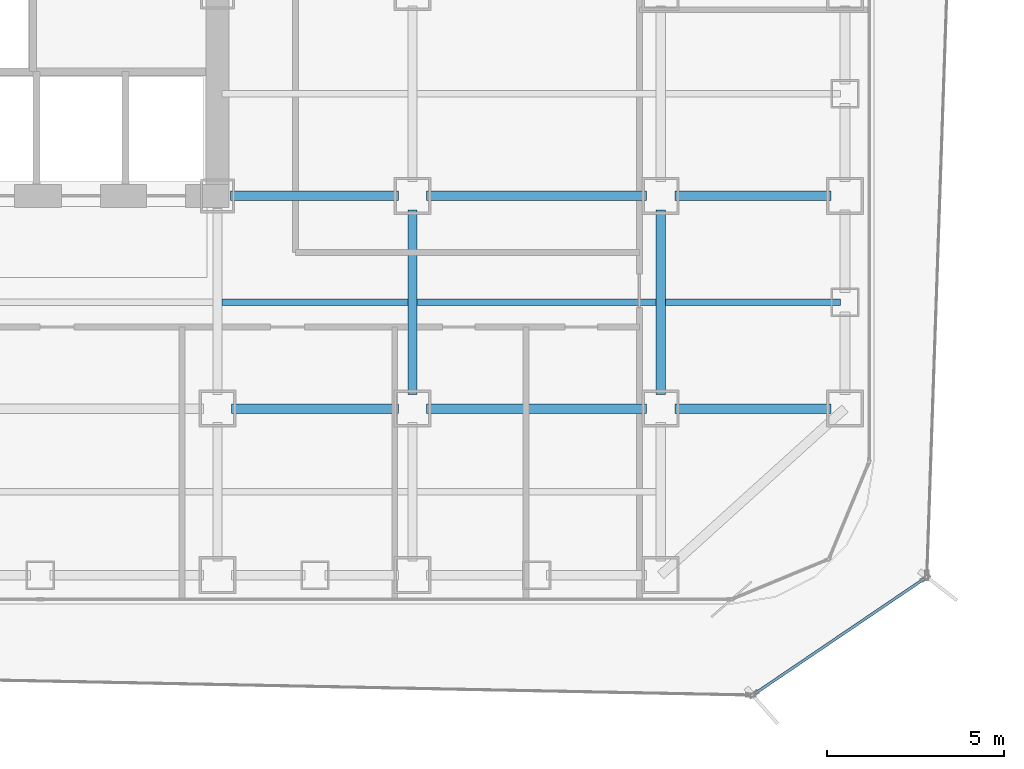
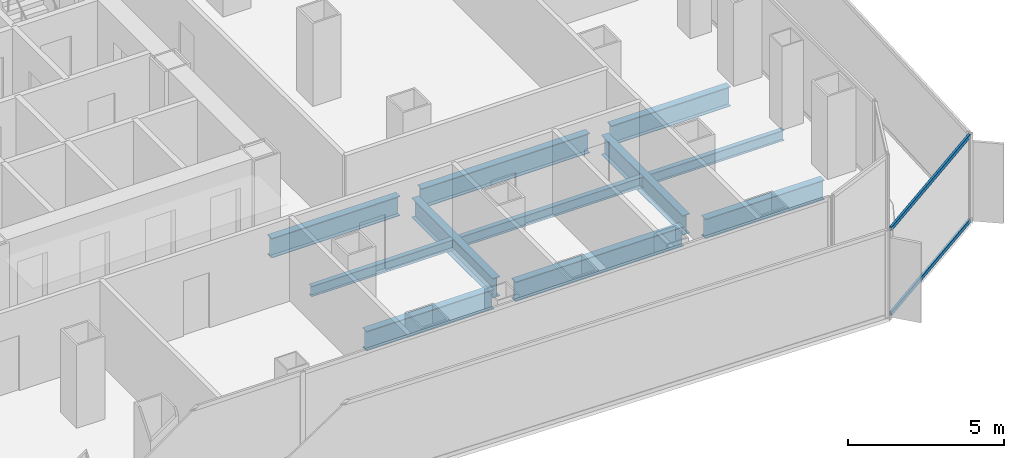
# One storey, part 7 of 22: 11 beams, 2 members, 1 element without a shape of its own.
"""IFC4 building model written with IfcOpenShell, lengths in metres."""

from ifc_helpers import new_model, si_unit, direction, frame, origin, origin_2d, place, context, subcontext, project, spatial, hollow_rectangle, i_section, extrude, source, transform, mapped, material, layer, layer_set, material_profile, profile_set, type_object, element, aggregate, save


model = new_model("IFC4")

# Units and contexts
model_context = context("Model", 3, precision=1e-05, world=origin(), true_north=direction((0.0, 1.0)))
body_context = subcontext(model_context, "Body", "Model", "MODEL_VIEW")
ifc_project = project(units=[si_unit("LENGTHUNIT", "METRE"), si_unit("AREAUNIT", "SQUARE_METRE"), si_unit("VOLUMEUNIT", "CUBIC_METRE"), si_unit("PLANEANGLEUNIT", "RADIAN"), si_unit("MASSUNIT", "GRAM", prefix="KILO")], contexts=[model_context])

# Site, building, storey
site_placement = place(None, origin())
site = spatial("IfcSite", under=ifc_project, at=site_placement, CompositionType="ELEMENT")
building_placement = place(site_placement, origin())
building = spatial("IfcBuilding", under=site, at=building_placement, Name="Kolveth Station Tower", CompositionType="ELEMENT")
storey_placement = place(building_placement, frame((0.0, 0.0, 84.60009765625)))
storey = spatial("IfcBuildingStorey", under=building, at=storey_placement, Name="L22", CompositionType="ELEMENT", Elevation=84.60009765625)

# Beams
ifc_material_1 = material(Name="Steel S355", Category="steel")
ifc_material_profile_1 = material_profile(ifc_material_1, i_section(OverallWidth=0.26708984375, OverallDepth=0.76611328125, WebThickness=0.014892578125, FlangeThickness=0.023681640625, at=origin_2d()), Name="W760x185")
ifc_profile_set_1 = profile_set([ifc_material_profile_1], Name="Steel S355")
beam_type_1 = type_object("IfcBeamType", Name="Beam_B3", PredefinedType="BEAM", material=ifc_profile_set_1)
shared_shape_1 = source(origin(), body_context, "Body", "SweptSolid", [
    extrude(i_section(OverallWidth=0.26708984375, OverallDepth=0.76611328125, WebThickness=0.014892578125, FlangeThickness=0.023681640625, at=origin_2d()), origin(), (0.0, 0.0, 1.0), 4.400146484375),
])
for number, where, z_axis, x_axis, name in (
    (1, (41.39990234375, 5.5, -0.6630859375), (1.0, 0.0, 0.0), (0.0, 1.0, 0.0), "L22 Primary Girder BM-L22-GY55-7"),
    (2, (41.39990234375, 11.5, -0.6630859375), (1.0, 0.0, 0.0), (0.0, 1.0, 0.0), "L22 Primary Girder BM-L22-GY115-7"),
):
    element("IfcBeam", number, at=place(storey_placement, frame(where, z_axis=z_axis, x_axis=x_axis)), inside=storey, type_object=beam_type_1, Name=name, PredefinedType="BEAM", context=body_context, shape_type="MappedRepresentation", body=[
        mapped(shared_shape_1, transform((0.0, 0.0, 0.0), x_axis=(1.0, 0.0, 0.0), y_axis=(0.0, 1.0, 0.0), z_axis=(0.0, 0.0, 1.0), scale=1.0)),
    ])
shared_shape_2 = source(origin(), body_context, "Body", "SweptSolid", [
    extrude(i_section(OverallWidth=0.26708984375, OverallDepth=0.76611328125, WebThickness=0.014892578125, FlangeThickness=0.023681640625, at=origin_2d()), origin(), (0.0, 0.0, 1.0), 6.2001953125),
])
for number, where, z_axis, x_axis, name in (
    (3, (34.39990234375, 5.5, -0.6630859375), (1.0, 0.0, 0.0), (0.0, 1.0, 0.0), "L22 Primary Girder BM-L22-GY55-6"),
    (4, (34.39990234375, 11.5, -0.6630859375), (1.0, 0.0, 0.0), (0.0, 1.0, 0.0), "L22 Primary Girder BM-L22-GY115-6"),
):
    element("IfcBeam", number, at=place(storey_placement, frame(where, z_axis=z_axis, x_axis=x_axis)), inside=storey, type_object=beam_type_1, Name=name, PredefinedType="BEAM", context=body_context, shape_type="MappedRepresentation", body=[
        mapped(shared_shape_2, transform((0.0, 0.0, 0.0), x_axis=(1.0, 0.0, 0.0), y_axis=(0.0, 1.0, 0.0), z_axis=(0.0, 0.0, 1.0), scale=1.0)),
    ])
shared_shape_3 = source(origin(), body_context, "Body", "SweptSolid", [
    extrude(i_section(OverallWidth=0.26708984375, OverallDepth=0.76611328125, WebThickness=0.014892578125, FlangeThickness=0.023681640625, at=origin_2d()), origin(), (0.0, 0.0, 1.0), 4.7001953125),
])
beam_1_placement = place(storey_placement, frame((28.89990234375, 5.5, -0.6630859375), z_axis=(1.0, 0.0, 0.0), x_axis=(0.0, 1.0, 0.0)))
element("IfcBeam", 5, at=beam_1_placement, inside=storey, type_object=beam_type_1, Name="L22 Primary Girder BM-L22-GY55-5", PredefinedType="BEAM", context=body_context, shape_type="MappedRepresentation", body=[
    mapped(shared_shape_3, transform((0.0, 0.0, 0.0), x_axis=(1.0, 0.0, 0.0), y_axis=(0.0, 1.0, 0.0), z_axis=(0.0, 0.0, 1.0), scale=1.0)),
])
shared_shape_4 = source(origin(), body_context, "Body", "SweptSolid", [
    extrude(i_section(OverallWidth=0.26708984375, OverallDepth=0.76611328125, WebThickness=0.014892578125, FlangeThickness=0.023681640625, at=origin_2d()), origin(), (0.0, 0.0, 1.0), 4.739990234375),
])
beam_2_placement = place(storey_placement, frame((28.860107421875, 11.5, -0.6630859375), z_axis=(1.0, 0.0, 0.0), x_axis=(0.0, 1.0, 0.0)))
element("IfcBeam", 6, at=beam_2_placement, inside=storey, type_object=beam_type_1, Name="L22 Primary Girder BM-L22-GY115-5", PredefinedType="BEAM", context=body_context, shape_type="MappedRepresentation", body=[
    mapped(shared_shape_4, transform((0.0, 0.0, 0.0), x_axis=(1.0, 0.0, 0.0), y_axis=(0.0, 1.0, 0.0), z_axis=(0.0, 0.0, 1.0), scale=1.0)),
])
shared_shape_5 = source(origin(), body_context, "Body", "SweptSolid", [
    extrude(i_section(OverallWidth=0.26708984375, OverallDepth=0.76611328125, WebThickness=0.014892578125, FlangeThickness=0.023681640625, at=origin_2d()), origin(), (0.0, 0.0, 1.0), 5.2001953125),
])
for number, where, z_axis, x_axis, name in (
    (7, (34.0, 5.89990234375, -0.6630859375), (0.0, 1.0, 0.0), (-1.0, 0.0, 0.0), "L22 Primary Girder BM-L22-GX340-2"),
    (8, (41.0, 5.89990234375, -0.6630859375), (0.0, 1.0, 0.0), (-1.0, 0.0, 0.0), "L22 Primary Girder BM-L22-GX410-2"),
):
    element("IfcBeam", number, at=place(storey_placement, frame(where, z_axis=z_axis, x_axis=x_axis)), inside=storey, type_object=beam_type_1, Name=name, PredefinedType="BEAM", context=body_context, shape_type="MappedRepresentation", body=[
        mapped(shared_shape_5, transform((0.0, 0.0, 0.0), x_axis=(1.0, 0.0, 0.0), y_axis=(0.0, 1.0, 0.0), z_axis=(0.0, 0.0, 1.0), scale=1.0)),
    ])
ifc_material_profile_2 = material_profile(ifc_material_1, i_section(OverallWidth=0.177978515625, OverallDepth=0.406982421875, WebThickness=0.0078125, FlangeThickness=0.0126953125, at=origin_2d()), Name="W410x60")
ifc_profile_set_2 = profile_set([ifc_material_profile_2], Name="Steel S355")
beam_type_2 = type_object("IfcBeamType", Name="Beam_J1", PredefinedType="JOIST", material=ifc_profile_set_2)
shared_shape_6 = source(origin(), body_context, "Body", "SweptSolid", [
    extrude(i_section(OverallWidth=0.177978515625, OverallDepth=0.406982421875, WebThickness=0.0078125, FlangeThickness=0.0126953125, at=origin_2d()), origin(), (0.0, 0.0, 1.0), 4.935791015625),
])
beam_3_placement = place(storey_placement, frame((41.131591796875, 8.5, -0.483642578125), z_axis=(1.0, 0.0, 0.0), x_axis=(0.0, 1.0, 0.0)))
element("IfcBeam", 9, at=beam_3_placement, inside=storey, type_object=beam_type_2, Name="L22 Secondary Joist JST-L22-7-2", PredefinedType="JOIST", context=body_context, shape_type="MappedRepresentation", body=[
    mapped(shared_shape_6, transform((0.0, 0.0, 0.0), x_axis=(1.0, 0.0, 0.0), y_axis=(0.0, 1.0, 0.0), z_axis=(0.0, 0.0, 1.0), scale=1.0)),
])
shared_shape_7 = source(origin(), body_context, "Body", "SweptSolid", [
    extrude(i_section(OverallWidth=0.177978515625, OverallDepth=0.406982421875, WebThickness=0.0078125, FlangeThickness=0.0126953125, at=origin_2d()), origin(), (0.0, 0.0, 1.0), 6.73681640625),
])
beam_4_placement = place(storey_placement, frame((34.131591796875, 8.5, -0.483642578125), z_axis=(1.0, 0.0, 0.0), x_axis=(0.0, 1.0, 0.0)))
element("IfcBeam", 10, at=beam_4_placement, inside=storey, type_object=beam_type_2, Name="L22 Secondary Joist JST-L22-6-2", PredefinedType="JOIST", context=body_context, shape_type="MappedRepresentation", body=[
    mapped(shared_shape_7, transform((0.0, 0.0, 0.0), x_axis=(1.0, 0.0, 0.0), y_axis=(0.0, 1.0, 0.0), z_axis=(0.0, 0.0, 1.0), scale=1.0)),
])
shared_shape_8 = source(origin(), body_context, "Body", "SweptSolid", [
    extrude(i_section(OverallWidth=0.177978515625, OverallDepth=0.406982421875, WebThickness=0.0078125, FlangeThickness=0.0126953125, at=origin_2d()), origin(), (0.0, 0.0, 1.0), 5.23681640625),
])
beam_5_placement = place(storey_placement, frame((28.631591796875, 8.5, -0.483642578125), z_axis=(1.0, 0.0, 0.0), x_axis=(0.0, 1.0, 0.0)))
element("IfcBeam", 11, at=beam_5_placement, inside=storey, type_object=beam_type_2, Name="L22 Secondary Joist JST-L22-5-2", PredefinedType="JOIST", context=body_context, shape_type="MappedRepresentation", body=[
    mapped(shared_shape_8, transform((0.0, 0.0, 0.0), x_axis=(1.0, 0.0, 0.0), y_axis=(0.0, 1.0, 0.0), z_axis=(0.0, 0.0, 1.0), scale=1.0)),
])

# Curtain wall, members
ifc_material_2 = material(Name="Black anodized aluminium 6063-T6 and dark solar glass", Category="aluminium")
ifc_layer = layer(ifc_material_2, 0.159912109375)
ifc_layer_set = layer_set([ifc_layer], Name="Black anodized aluminium 6063-T6 and dark solar glass")
curtain_wall_type = type_object("IfcCurtainWallType", Name="OUTER SKIN CW-OS", PredefinedType="NOTDEFINED", material=ifc_layer_set)
curtain_wall_placement = place(storey_placement, origin())
curtain_wall = element("IfcCurtainWall", 12, at=curtain_wall_placement, inside=storey, type_object=curtain_wall_type, Name="L22 Outer Ventilated Skin Curtain Wall 1", PredefinedType="NOTDEFINED")
ifc_material_3 = material(Name="Black anodized aluminium 6063-T6", Category="aluminium")
ifc_material_profile_3 = material_profile(ifc_material_3, hollow_rectangle(XDim=0.080078125, YDim=0.14990234375, WallThickness=0.0048828125, at=origin_2d()), Name="ALU-80x150x5")
ifc_profile_set_3 = profile_set([ifc_material_profile_3], Name="Black anodized aluminium 6063-T6")
member_type = type_object("IfcMemberType", Name="Transom_TR-OS", PredefinedType="USERDEFINED", material=ifc_profile_set_3)
shared_shape_9 = source(origin(), body_context, "Body", "SweptSolid", [
    extrude(hollow_rectangle(XDim=0.080078125, YDim=0.14990234375, WallThickness=0.0048828125, at=origin_2d()), origin(), (0.0, 0.0, 1.0), 5.7587890625),
])
member_1_placement = place(storey_placement, frame((43.667724609375, -2.534423828125, 0.039794921875), z_axis=(0.827733861729, 0.56112089085, 0.0), x_axis=(-0.56112089085, 0.827733861729, 0.0)))
member_1 = element("IfcMember", 13, at=member_1_placement, type_object=member_type, Name="CW-OS transom 1.1", ObjectType="TRANSOM", PredefinedType="USERDEFINED", context=body_context, shape_type="MappedRepresentation", body=[
    mapped(shared_shape_9, transform((0.0, 0.0, 0.0), x_axis=(1.0, 0.0, 0.0), y_axis=(0.0, 1.0, 0.0), z_axis=(0.0, 0.0, 1.0), scale=1.0)),
])
member_2_placement = place(storey_placement, frame((43.667724609375, -2.534423828125, 3.349853515625), z_axis=(0.827733861729, 0.56112089085, 0.0), x_axis=(-0.56112089085, 0.827733861729, 0.0)))
member_2 = element("IfcMember", 14, at=member_2_placement, type_object=member_type, Name="CW-OS transom 1.2", ObjectType="TRANSOM", PredefinedType="USERDEFINED", context=body_context, shape_type="MappedRepresentation", body=[
    mapped(shared_shape_9, transform((0.0, 0.0, 0.0), x_axis=(1.0, 0.0, 0.0), y_axis=(0.0, 1.0, 0.0), z_axis=(0.0, 0.0, 1.0), scale=1.0)),
])
aggregate(curtain_wall, [member_1, member_2])

save(model, "model.ifc")
